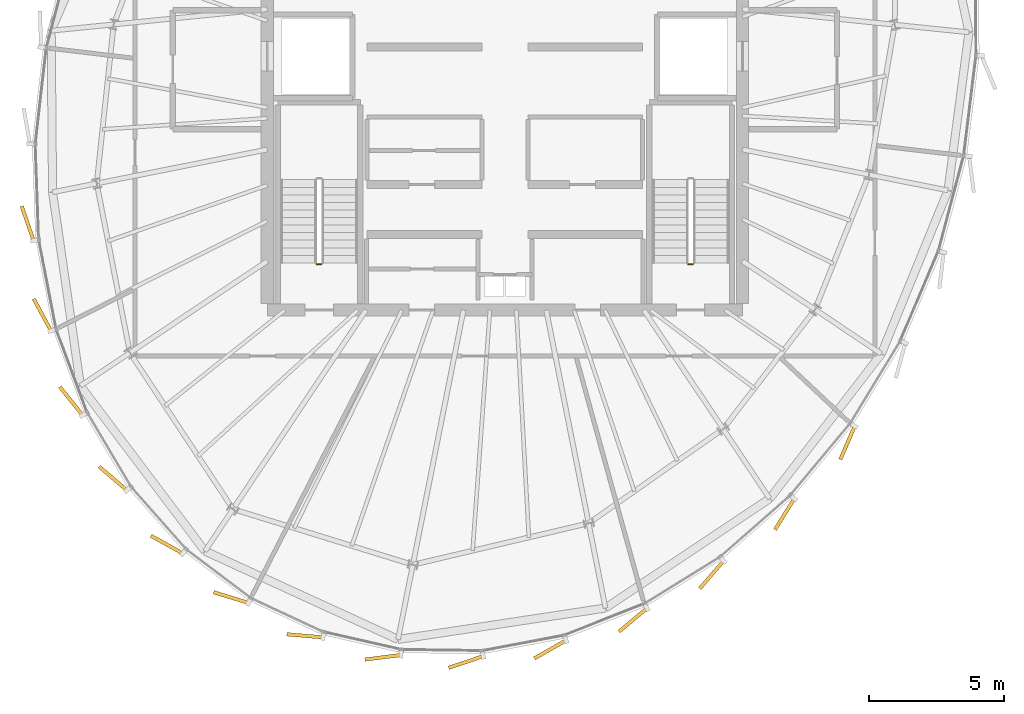
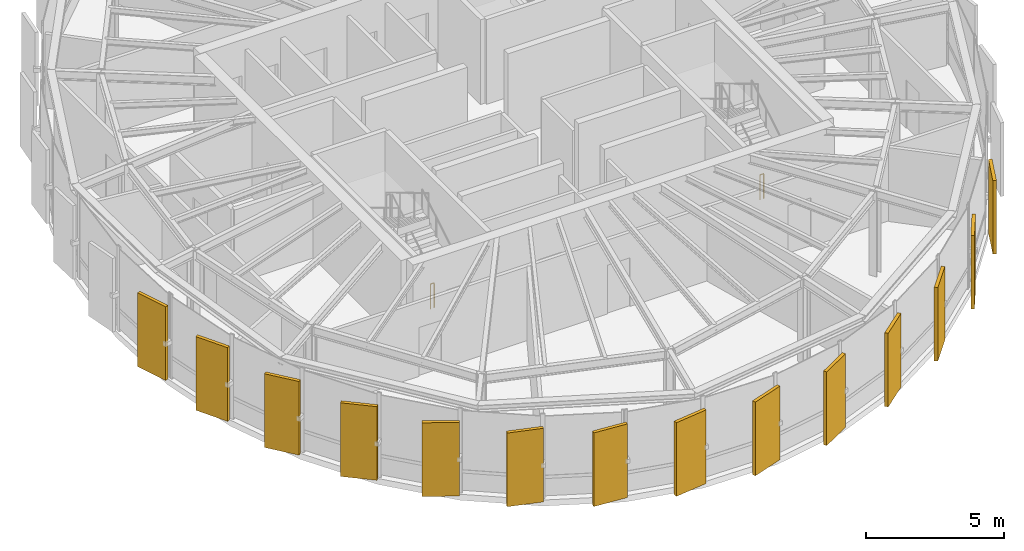
# One storey, part 24 of 26: 14 coverings, 2 railings.
"""IFC4 building model written with IfcOpenShell, lengths in metres."""

from ifc_helpers import new_model, si_unit, direction, frame, origin, origin_2d, place, context, subcontext, project, spatial, rectangle, circle, extrude, source, transform, mapped, material, layer, layer_set, type_object, element, save


model = new_model("IFC4")

# Units and contexts
model_context = context("Model", 3, precision=1e-05, world=origin(), true_north=direction((0.0, 1.0)))
body_context = subcontext(model_context, "Body", "Model", "MODEL_VIEW")
ifc_project = project(units=[si_unit("LENGTHUNIT", "METRE"), si_unit("AREAUNIT", "SQUARE_METRE"), si_unit("VOLUMEUNIT", "CUBIC_METRE"), si_unit("PLANEANGLEUNIT", "RADIAN"), si_unit("MASSUNIT", "GRAM", prefix="KILO"), si_unit("THERMODYNAMICTEMPERATUREUNIT", "KELVIN")], contexts=[model_context])

# Site, building, storey
site_placement = place(None, origin())
site = spatial("IfcSite", under=ifc_project, at=site_placement, CompositionType="ELEMENT")
building_placement = place(site_placement, origin())
building = spatial("IfcBuilding", under=site, at=building_placement, Name="Kethvar Cultural Tower", CompositionType="ELEMENT")
storey_placement = place(building_placement, frame((0.0, 0.0, 320.300048828125)))
storey = spatial("IfcBuildingStorey", under=building, at=storey_placement, Name="L85", CompositionType="ELEMENT", Elevation=320.300048828125)

# Railings
ifc_material_1 = material(Name="Steel S355J2", Category="steel")
railing_type = type_object("IfcRailingType", Name="RL-STAIR-GUARD", PredefinedType="BALUSTRADE", material=ifc_material_1)
for number, where, name in (
    (1, (40.0, 21.800048828125, 0.0), "L85 ST-01 stair guard 4"),
    (2, (53.760009765625, 21.800048828125, 0.0), "L85 ST-02 stair guard 4"),
):
    element("IfcRailing", number, at=place(storey_placement, frame(where)), inside=storey, type_object=railing_type, Name=name, PredefinedType="BALUSTRADE", context=body_context, shape_type="SweptSolid", body=[
        extrude(circle(Radius=0.02392578125, at=origin_2d()), frame((0.0, 0.0, 1.09619140625), z_axis=(-1.0, 0.0, 0.0), x_axis=(0.0, -1.0, 0.0)), (0.0, 0.0, 1.0), 0.159912109375),
        extrude(circle(Radius=0.02099609375, at=origin_2d()), origin(), (0.0, 0.0, 1.0), 1.072021484375),
        extrude(circle(Radius=0.02099609375, at=origin_2d()), frame((-0.159912109375, 0.0, 0.0)), (0.0, 0.0, 1.0), 1.072021484375),
    ])

# Coverings
ifc_material_2 = material(Name="Extruded Architectural Terracotta", Category="masonry")
ifc_layer = layer(ifc_material_2, 0.135009765625, Name="Extruded Architectural Terracotta", Category="masonry")
ifc_layer_set = layer_set([ifc_layer], Name="Extruded Architectural Terracotta (135 mm)")
covering_type = type_object("IfcCoveringType", Name="Terracotta Facade Fin FIN-03", PredefinedType="CLADDING", material=ifc_layer_set)
shared_shape = source(origin(), body_context, "Body", "SweptSolid", [
    extrude(rectangle(XDim=1.35009765625, YDim=0.135009765625, at=origin_2d()), origin(), (0.0, 0.0, 1.0), 3.25),
])
for number, where, z_axis, x_axis, name in (
    (3, (29.125732421875, 23.3125, 0.02001953125), (0.0, 0.0, 1.0), (-0.32490797868, 0.945745634613, 0.0), "L85 Vertical Terracotta Fin 3.1"),
    (4, (29.671630859375, 19.92578125, 0.02001953125), (0.0, 0.0, 1.0), (-0.476238203668, 0.879316310191, 0.0), "L85 Vertical Terracotta Fin 3.2"),
    (5, (30.739013671875, 16.732421875, 0.02001953125), (0.0, 0.0, 1.0), (-0.623879596709, 0.781520472419, 0.0), "L85 Vertical Terracotta Fin 3.3"),
    (6, (32.2900390625, 13.8681640625, 0.02001953125), (0.0, 0.0, 1.0), (-0.760065811178, 0.64984610692, 0.0), "L85 Vertical Terracotta Fin 3.4"),
    (7, (34.2822265625, 11.41748046875, 0.02001953125), (0.0, 0.0, 1.0), (-0.874619707139, 0.484809620246, 0.0), "L85 Vertical Terracotta Fin 3.5"),
    (8, (36.659912109375, 9.45654296875, 0.02001953125), (0.0, 0.0, 1.0), (-0.956355769886, 0.292204793604, 0.0), "L85 Vertical Terracotta Fin 3.6"),
    (9, (39.39599609375, 8.03955078125, 0.02001953125), (0.0, 0.0, 1.0), (-0.996478239533, 0.083851762871, 0.0), "L85 Vertical Terracotta Fin 4.1"),
    (10, (42.285400390625, 7.243896484375, 0.02001953125), (0.0, 0.0, 1.0), (-0.992114701314, -0.125333233564, 0.0), "L85 Vertical Terracotta Fin 4.2"),
    (11, (45.35986328125, 7.07080078125, 0.02001953125), (0.0, 0.0, 1.0), (-0.947042275343, -0.321108904756, 0.0), "L85 Vertical Terracotta Fin 4.3"),
    (12, (48.4794921875, 7.537109375, 0.02001953125), (0.0, 0.0, 1.0), (-0.869494929505, -0.493941866584, 0.0), "L85 Vertical Terracotta Fin 4.4"),
    (13, (51.544921875, 8.626953125, 0.02001953125), (0.0, 0.0, 1.0), (-0.768730217204, -0.639573180455, 0.0), "L85 Vertical Terracotta Fin 4.5"),
    (14, (54.4599609375, 10.3046875, 0.02001953125), (0.0, 0.0, 1.0), (-0.652891962553, -0.757451044777, 0.0), "L85 Vertical Terracotta Fin 4.6"),
    (15, (57.162109375, 12.54736328125, 0.02001953125), (0.0, 0.0, 1.0), (-0.527252431902, -0.849708698939, 0.0), "L85 Vertical Terracotta Fin 5.1"),
    (16, (59.489501953125, 15.18701171875, 0.02001953125), (0.0, 0.0, 1.0), (-0.395385197406, -0.918515403068, 0.0), "L85 Vertical Terracotta Fin 5.2"),
):
    element("IfcCovering", number, at=place(storey_placement, frame(where, z_axis=z_axis, x_axis=x_axis)), inside=storey, type_object=covering_type, Name=name, PredefinedType="CLADDING", context=body_context, shape_type="MappedRepresentation", body=[
        mapped(shared_shape, transform((0.0, 0.0, 0.0), scale=1.0)),
    ])

save(model, "model.ifc")
